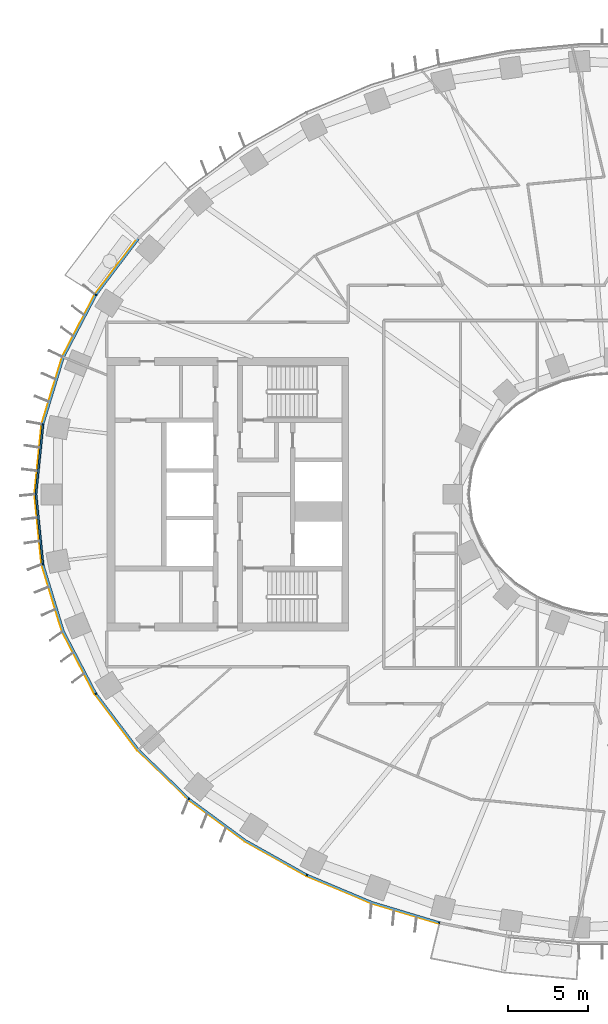
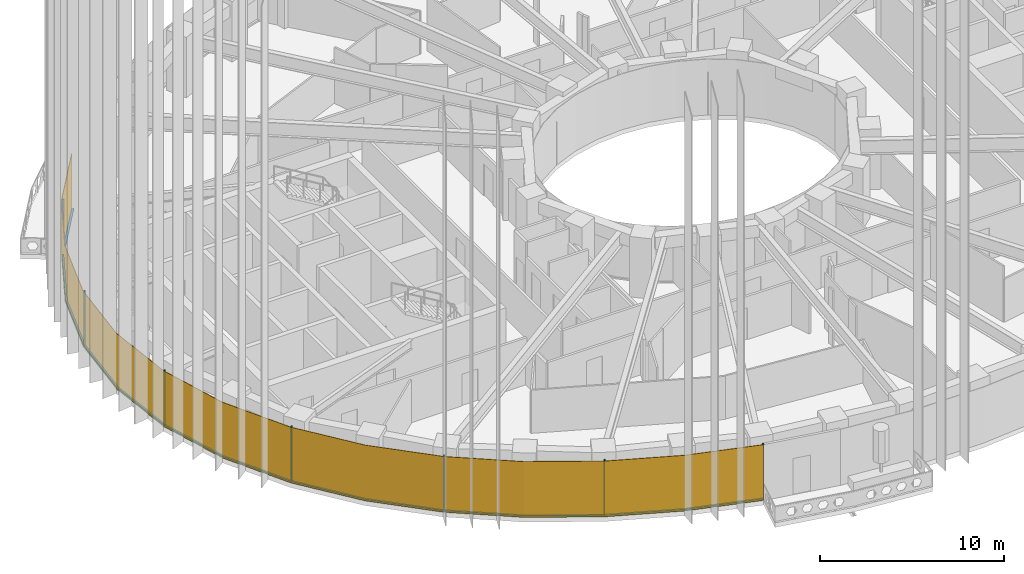
# One storey, part 9 of 20: 14 members, 1 curtain wall.
"""IFC4 building model written with IfcOpenShell, lengths in metres."""

from ifc_helpers import new_model, si_unit, direction, frame, origin, origin_2d, place, context, subcontext, project, spatial, polyline, rectangle, outline, extrude, material, layer, layer_set, material_profile, profile_set, type_object, element, aggregate, save


model = new_model("IFC4")

# Units and contexts
model_context = context("Model", 3, precision=1e-05, world=origin(), true_north=direction((0.0, 1.0)))
body_context = subcontext(model_context, "Body", "Model", "MODEL_VIEW")
ifc_project = project(units=[si_unit("LENGTHUNIT", "METRE"), si_unit("AREAUNIT", "SQUARE_METRE"), si_unit("VOLUMEUNIT", "CUBIC_METRE"), si_unit("PLANEANGLEUNIT", "RADIAN"), si_unit("MASSUNIT", "GRAM", prefix="KILO")], contexts=[model_context])

# Member
ifc_material_1 = material(Name="Aluminium 6063-T6 black anodised", Category="aluminium")
ifc_material_profile = material_profile(ifc_material_1, rectangle(XDim=0.1201171875, YDim=0.06005859375, at=origin_2d()), Name="120x60")
ifc_profile_set = profile_set([ifc_material_profile], Name="Aluminium 6063-T6 black anodised")
member_type_1 = type_object("IfcMemberType", Name="ENV-MULLION-A-120", PredefinedType="MULLION", material=ifc_profile_set)
site_placement = place(None, origin())
building_placement = place(site_placement, origin())
storey_placement = place(building_placement, frame((0.0, 0.0, 88.0)))
member_1_placement = place(storey_placement, frame((-32.177490234375, 12.385498046875, 0.0), z_axis=(0.0, 0.0, 1.0), x_axis=(0.844829880882, -0.53503501976, 0.0)))
member_1 = element("IfcMember", 1, at=member_1_placement, type_object=member_type_1, Name="Mullion A radial 21", PredefinedType="MULLION", context=body_context, shape_type="SweptSolid", body=[
    extrude(rectangle(XDim=0.1201171875, YDim=0.06005859375, at=origin_2d()), origin(), (0.0, 0.0, 1.0), 3.699951171875),
])

member_2_placement = place(storey_placement, frame((-35.470947265625, 4.340576171875, 0.0), z_axis=(0.0, 0.0, 1.0), x_axis=(0.980379083141, -0.19712141776, 0.0)))
member_2 = element("IfcMember", 2, at=member_2_placement, type_object=member_type_1, Name="Mullion A radial 23", PredefinedType="MULLION", context=body_context, shape_type="SweptSolid", body=[
    extrude(rectangle(XDim=0.1201171875, YDim=0.06005859375, at=origin_2d()), origin(), (0.0, 0.0, 1.0), 3.699951171875),
])

member_3_placement = place(storey_placement, frame((-35.470947265625, -4.340576171875, 0.0), z_axis=(0.0, 0.0, 1.0), x_axis=(0.980379083141, 0.19712141776, 0.0)))
member_3 = element("IfcMember", 3, at=member_3_placement, type_object=member_type_1, Name="Mullion A radial 25", PredefinedType="MULLION", context=body_context, shape_type="SweptSolid", body=[
    extrude(rectangle(XDim=0.1201171875, YDim=0.06005859375, at=origin_2d()), origin(), (0.0, 0.0, 1.0), 3.699951171875),
])

member_4_placement = place(storey_placement, frame((-32.177490234375, -12.385498046875, 0.0), z_axis=(0.0, 0.0, 1.0), x_axis=(0.844829880882, 0.53503501976, 0.0)))
member_4 = element("IfcMember", 4, at=member_4_placement, type_object=member_type_1, Name="Mullion A radial 27", PredefinedType="MULLION", context=body_context, shape_type="SweptSolid", body=[
    extrude(rectangle(XDim=0.1201171875, YDim=0.06005859375, at=origin_2d()), origin(), (0.0, 0.0, 1.0), 3.699951171875),
])

member_5_placement = place(storey_placement, frame((-26.403564453125, -18.9130859375, 0.0), z_axis=(0.0, 0.0, 1.0), x_axis=(0.646451313783, 0.762955240435, 0.0)))
member_5 = element("IfcMember", 5, at=member_5_placement, type_object=member_type_1, Name="Mullion A radial 29", PredefinedType="MULLION", context=body_context, shape_type="SweptSolid", body=[
    extrude(rectangle(XDim=0.1201171875, YDim=0.06005859375, at=origin_2d()), origin(), (0.0, 0.0, 1.0), 3.699951171875),
])

member_6_placement = place(storey_placement, frame((-19.06787109375, -23.6474609375, 0.0), z_axis=(0.0, 0.0, 1.0), x_axis=(0.439237769837, 0.898370848563, 0.0)))
member_6 = element("IfcMember", 6, at=member_6_placement, type_object=member_type_1, Name="Mullion A radial 31", PredefinedType="MULLION", context=body_context, shape_type="SweptSolid", body=[
    extrude(rectangle(XDim=0.1201171875, YDim=0.06005859375, at=origin_2d()), origin(), (0.0, 0.0, 1.0), 3.699951171875),
])

member_7_placement = place(storey_placement, frame((-10.84326171875, -26.60498046875, 0.0), z_axis=(0.0, 0.0, 1.0), x_axis=(0.239799081534, 0.970822538106, 0.0)))
member_7 = element("IfcMember", 7, at=member_7_placement, type_object=member_type_1, Name="Mullion A radial 33", PredefinedType="MULLION", context=body_context, shape_type="SweptSolid", body=[
    extrude(rectangle(XDim=0.1201171875, YDim=0.06005859375, at=origin_2d()), origin(), (0.0, 0.0, 1.0), 3.699951171875),
])

ifc_material_2 = material(Name="Aluminium 6063-T6 black anodised", Category="aluminium")
member_type_2 = type_object("IfcMemberType", Name="ENV-TRANSOM-A", PredefinedType="USERDEFINED", material=ifc_material_2)
member_8_placement = place(storey_placement, origin())
member_8 = element("IfcMember", 8, at=member_8_placement, type_object=member_type_2, Name="Transom A radial 20-21", ObjectType="TRANSOM", PredefinedType="USERDEFINED", context=body_context, shape_type="SweptSolid", body=[
    extrude(outline(polyline([(-29.595703125, 15.890869140625), (-32.211181640625, 12.43994140625), (-32.109375, 12.37548828125), (-29.505615234375, 15.811279296875), (-29.595703125, 15.890869140625)])), origin(), (0.0, 0.0, 1.0), 0.10009765625),
])

member_9_placement = place(storey_placement, origin())
member_9 = element("IfcMember", 9, at=member_9_placement, type_object=member_type_2, Name="Transom A radial 21-23", ObjectType="TRANSOM", PredefinedType="USERDEFINED", context=body_context, shape_type="SweptSolid", body=[
    extrude(outline(polyline([(-32.240966796875, 12.392578125), (-34.251220703125, 8.53662109375), (-35.521484375, 4.379150390625), (-35.4033203125, 4.355224609375), (-34.139892578125, 8.490966796875), (-32.139404296875, 12.328369140625), (-32.240966796875, 12.392578125)])), origin(), (0.0, 0.0, 1.0), 0.10009765625),
])

member_10_placement = place(storey_placement, origin())
member_10 = element("IfcMember", 10, at=member_10_placement, type_object=member_type_2, Name="Transom A radial 23-25", ObjectType="TRANSOM", PredefinedType="USERDEFINED", context=body_context, shape_type="SweptSolid", body=[
    extrude(outline(polyline([(-35.532470703125, 4.324462890625), (-35.9677734375, 0.0), (-35.532470703125, -4.324462890625), (-35.414306640625, -4.30078125), (-35.84716796875, 0.0), (-35.414306640625, 4.30078125), (-35.532470703125, 4.324462890625)])), origin(), (0.0, 0.0, 1.0), 0.10009765625),
])

member_11_placement = place(storey_placement, origin())
member_11 = element("IfcMember", 11, at=member_11_placement, type_object=member_type_2, Name="Transom A radial 25-27", ObjectType="TRANSOM", PredefinedType="USERDEFINED", context=body_context, shape_type="SweptSolid", body=[
    extrude(outline(polyline([(-35.521484375, -4.379150390625), (-34.251220703125, -8.53662109375), (-32.240966796875, -12.392578125), (-32.139404296875, -12.328369140625), (-34.139892578125, -8.490966796875), (-35.4033203125, -4.355224609375), (-35.521484375, -4.379150390625)])), origin(), (0.0, 0.0, 1.0), 0.10009765625),
])

member_12_placement = place(storey_placement, origin())
member_12 = element("IfcMember", 12, at=member_12_placement, type_object=member_type_2, Name="Transom A radial 27-29", ObjectType="TRANSOM", PredefinedType="USERDEFINED", context=body_context, shape_type="SweptSolid", body=[
    extrude(outline(polyline([(-32.211181640625, -12.43994140625), (-29.58349609375, -15.906982421875), (-26.46240234375, -18.939208984375), (-26.384765625, -18.847412109375), (-29.493408203125, -15.8271484375), (-32.109375, -12.37548828125), (-32.211181640625, -12.43994140625)])), origin(), (0.0, 0.0, 1.0), 0.10009765625),
])

member_13_placement = place(storey_placement, origin())
member_13 = element("IfcMember", 13, at=member_13_placement, type_object=member_type_2, Name="Transom A radial 29-31", ObjectType="TRANSOM", PredefinedType="USERDEFINED", context=body_context, shape_type="SweptSolid", body=[
    extrude(outline(polyline([(-26.419921875, -18.975341796875), (-22.9150390625, -21.556884765625), (-19.11865234375, -23.687744140625), (-19.06591796875, -23.57958984375), (-22.85009765625, -21.455810546875), (-26.342041015625, -18.883544921875), (-26.419921875, -18.975341796875)])), origin(), (0.0, 0.0, 1.0), 0.10009765625),
])

member_14_placement = place(storey_placement, origin())
member_14 = element("IfcMember", 14, at=member_14_placement, type_object=member_type_2, Name="Transom A radial 31-33", ObjectType="TRANSOM", PredefinedType="USERDEFINED", context=body_context, shape_type="SweptSolid", body=[
    extrude(outline(polyline([(-19.068359375, -23.71240234375), (-15.054443359375, -25.400146484375), (-10.884521484375, -26.655029296875), (-10.855712890625, -26.53857421875), (-15.013916015625, -25.287109375), (-19.015380859375, -23.604248046875), (-19.068359375, -23.71240234375)])), origin(), (0.0, 0.0, 1.0), 0.10009765625),
])

# Site, building, storey
site = spatial("IfcSite", under=ifc_project, at=site_placement, CompositionType="ELEMENT")
building = spatial("IfcBuilding", under=site, at=building_placement, Name="Noorbagh Ring Tower", CompositionType="ELEMENT")
storey = spatial("IfcBuildingStorey", under=building, at=storey_placement, Name="L19", CompositionType="ELEMENT", Elevation=88.0)

# Curtain wall
ifc_material_3 = material(Name="Glass dark tinted laminated", Category="glass")
ifc_layer = layer(ifc_material_3, 0.031982421875)
ifc_layer_set = layer_set([ifc_layer], Name="Glass dark tinted laminated")
curtain_wall_type = type_object("IfcCurtainWallType", Name="ENV-CW-A", PredefinedType="NOTDEFINED", material=ifc_layer_set)
curtain_wall_placement = place(storey_placement, origin())
curtain_wall = element("IfcCurtainWall", 15, at=curtain_wall_placement, inside=storey, type_object=curtain_wall_type, Name="Curtain wall A R20", PredefinedType="NOTDEFINED", context=body_context, shape_type="SweptSolid", body=[
    extrude(outline(polyline([(-29.61962890625, 15.912109375), (-32.255126953125, 12.434814453125), (-34.281005859375, 8.548828125), (-35.561279296875, 4.358642578125), (-36.0, 0.0), (-35.561279296875, -4.358642578125), (-34.281005859375, -8.548828125), (-32.255126953125, -12.434814453125), (-29.607666015625, -15.927978515625), (-26.463134765625, -18.9833984375), (-22.9326171875, -21.583740234375), (-19.108154296875, -23.730224609375), (-15.065185546875, -25.430419921875), (-10.884521484375, -26.6884765625), (-10.876708984375, -26.657470703125), (-15.054443359375, -25.400146484375), (-19.093994140625, -23.701416015625), (-22.9150390625, -21.556884765625), (-26.4423828125, -18.958740234375), (-29.58349609375, -15.906982421875), (-32.22802734375, -12.41748046875), (-34.251220703125, -8.53662109375), (-35.529541015625, -4.352294921875), (-35.9677734375, 0.0), (-35.529541015625, 4.352294921875), (-34.251220703125, 8.53662109375), (-32.22802734375, 12.41748046875), (-29.595703125, 15.890869140625), (-29.61962890625, 15.912109375)])), origin(), (0.0, 0.0, 1.0), 3.699951171875),
])

aggregate(curtain_wall, [member_1, member_2, member_3, member_4, member_5, member_6, member_7, member_8, member_9, member_10, member_11, member_12, member_13, member_14])

save(model, "model.ifc")
